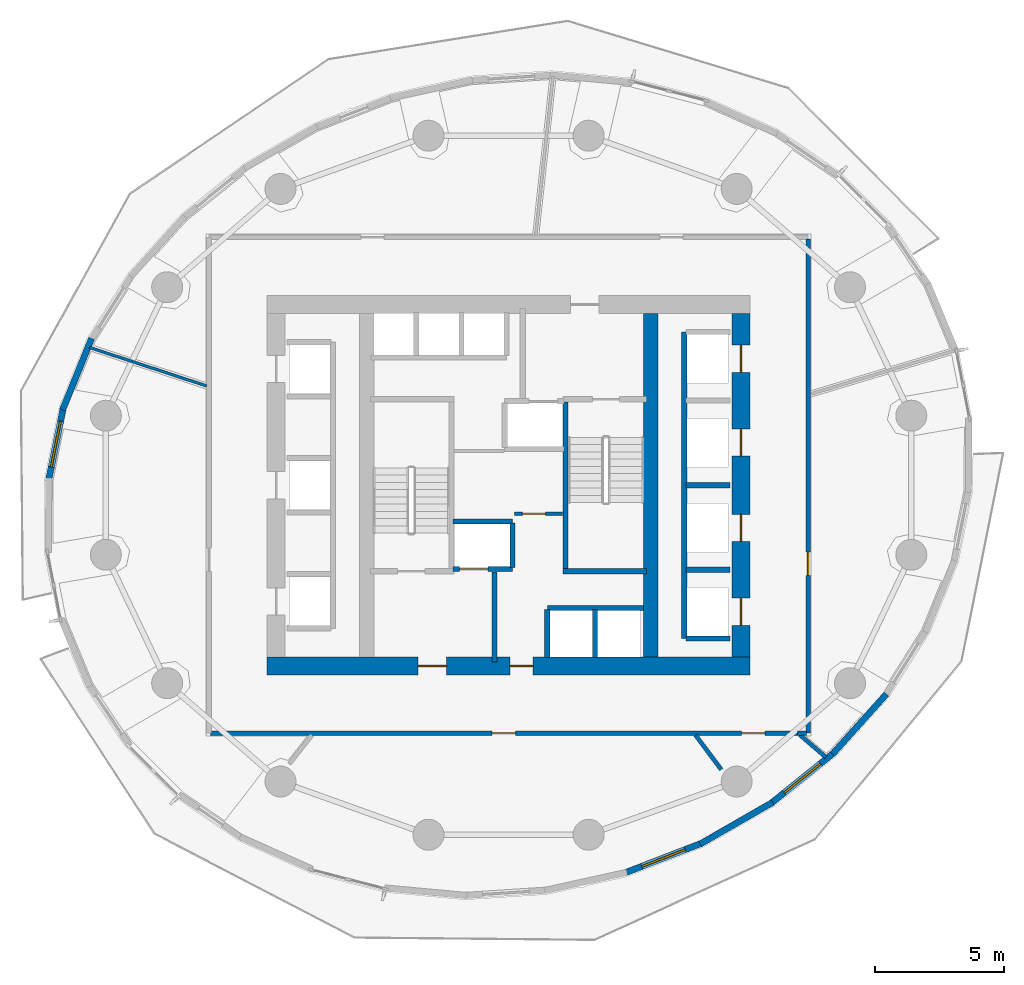
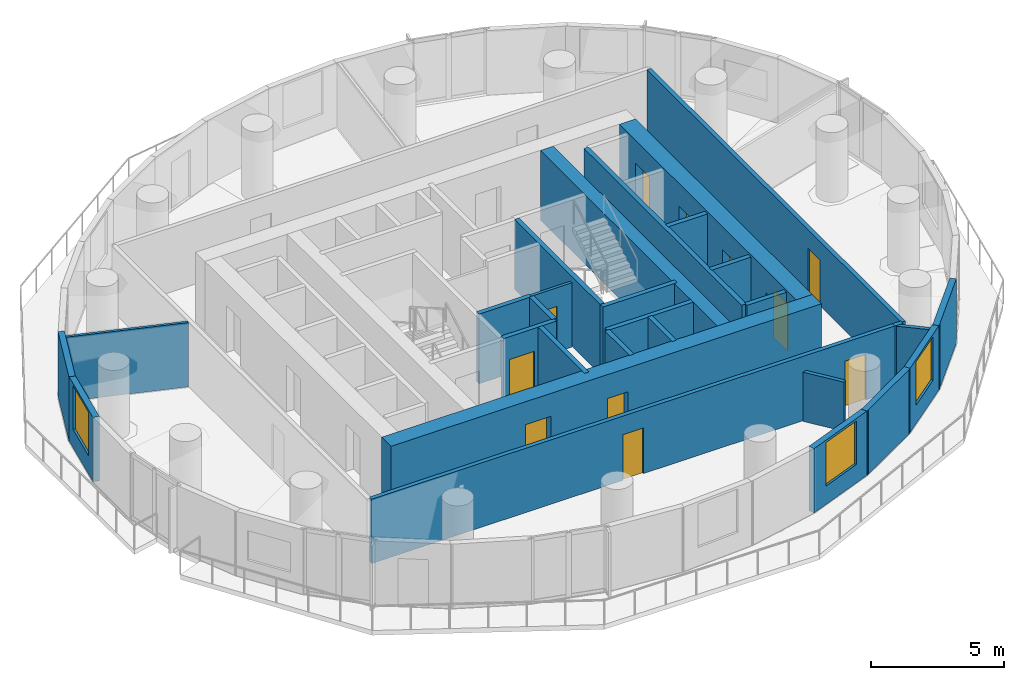
# One storey, part 4 of 10: 29 walls, 11 doors, 3 windows, 14 openings.
"""IFC4 building model written with IfcOpenShell, lengths in metres."""

from ifc_helpers import new_model, si_unit, direction, frame, frame_2d, origin, place, context, subcontext, project, spatial, rectangle, extrude, material, layer, layer_set, type_object, element, fill, save


model = new_model("IFC4")

# Units and contexts
model_context = context("Model", 3, precision=1e-05, world=origin(), true_north=direction((0.0, 1.0)))
body_context = subcontext(model_context, "Body", "Model", "MODEL_VIEW")
ifc_project = project(units=[si_unit("LENGTHUNIT", "METRE"), si_unit("AREAUNIT", "SQUARE_METRE"), si_unit("VOLUMEUNIT", "CUBIC_METRE"), si_unit("PLANEANGLEUNIT", "RADIAN"), si_unit("MASSUNIT", "GRAM", prefix="KILO")], contexts=[model_context])

# Site, building, storey
site_placement = place(None, origin())
site = spatial("IfcSite", under=ifc_project, at=site_placement, CompositionType="ELEMENT")
building_placement = place(site_placement, origin())
building = spatial("IfcBuilding", under=site, at=building_placement, Name="Veldorim Arch Residences", CompositionType="ELEMENT")
storey_placement = place(building_placement, frame((0.0, 0.0, 70.8798828125)))
storey = spatial("IfcBuildingStorey", under=building, at=storey_placement, Name="L20", CompositionType="ELEMENT", Elevation=70.8798828125)

# Wall, opening, door
ifc_material_1 = material(Name="Acoustic Gypsum Board", Category="gypsum")
ifc_layer_1 = layer(ifc_material_1, 0.125, Name="Acoustic Stud Room Partition Wall 125")
ifc_layer_set_1 = layer_set([ifc_layer_1], Name="Acoustic Gypsum Board")
wall_type_1 = type_object("IfcWallType", Name="Acoustic Stud Room Partition Wall 125", PredefinedType="PARTITIONING", material=ifc_layer_set_1)
wall_1_placement = place(storey_placement, frame((32.219970703125, 22.89990234375, 0.0), z_axis=(0.0, 0.0, 1.0), x_axis=(1.0, 0.0, 0.0)))
wall_1 = element("IfcWall", 1, at=wall_1_placement, inside=storey, type_object=wall_type_1, Name="L20 interior wall WL-CA-L20-2", PredefinedType="PARTITIONING", context=body_context, shape_type="SweptSolid", body=[
    extrude(rectangle(XDim=1.860107421875, YDim=0.125, at=frame_2d((0.93017578125, 0.0))), origin(), (0.0, 0.0, 1.0), 2.955078125),
])
opening_1_placement = place(wall_1_placement, frame((0.31005859375, 0.0, 0.0)))
opening_1 = element("IfcOpeningElement", 2, at=opening_1_placement, cuts=wall_1, Name="Opening DR-SVC", PredefinedType="OPENING", context=body_context, shape_type="SweptSolid", body=[
    extrude(rectangle(XDim=0.89990234375, YDim=2.10009765625, at=frame_2d((0.449951171875, 1.050048828125))), frame((0.0, 0.072509765625, 0.0), z_axis=(0.0, -1.0, 0.0), x_axis=(1.0, 0.0, 0.0)), (0.0, 0.0, 1.0), 0.14501953125),
])
ifc_material_2 = material(Name="Fire-Rated Steel", Category="steel")
door_type_1 = type_object("IfcDoorType", Name="Riser, Shelter & Plant Room Rated Steel Door 900x2100", OperationType="SINGLE_SWING_LEFT", PredefinedType="DOOR", material=ifc_material_2)
door_1_placement = place(opening_1_placement, origin())
door_1 = element("IfcDoor", 3, at=door_1_placement, inside=storey, type_object=door_type_1, Name="L20 interior door DR-L20-CA1", OperationType="SINGLE_SWING_RIGHT", OverallHeight=2.10009765625, OverallWidth=0.89990234375, PredefinedType="DOOR", context=body_context, shape_type="SweptSolid", body=[
    extrude(rectangle(XDim=0.89990234375, YDim=2.10009765625, at=frame_2d((0.449951171875, 1.050048828125))), frame((0.0, 0.02490234375, 0.0), z_axis=(0.0, -1.0, 0.0), x_axis=(1.0, 0.0, 0.0)), (0.0, 0.0, 1.0), 0.050048828125),
])
fill(opening_1, door_1)

ifc_material_3 = material(Name="Lightweight Masonry Block & Gypsum", Category="masonry")
ifc_layer_2 = layer(ifc_material_3, 0.179931640625, Name="Compartment & Corridor Fire-Rated Party Wall 180")
ifc_layer_set_2 = layer_set([ifc_layer_2], Name="Lightweight Masonry Block & Gypsum")
wall_type_2 = type_object("IfcWallType", Name="Compartment & Corridor Fire-Rated Party Wall 180", PredefinedType="PARTITIONING", material=ifc_layer_set_2)
wall_2_placement = place(storey_placement, frame((43.60009765625, 33.5400390625, 0.0), z_axis=(0.0, 0.0, 1.0), x_axis=(0.0, -1.0, 0.0)))
wall_2 = element("IfcWall", 4, at=wall_2_placement, inside=storey, type_object=wall_type_2, Name="L20 interior wall WL-SKY-L20-002", PredefinedType="PARTITIONING", context=body_context, shape_type="SweptSolid", body=[
    extrude(rectangle(XDim=19.14013671875, YDim=0.179931640625, at=frame_2d((9.570068359375, 0.0))), origin(), (0.0, 0.0, 1.0), 2.955078125),
])
opening_2_placement = place(wall_2_placement, frame((12.12841796875, 0.0, 0.0)))
opening_2 = element("IfcOpeningElement", 5, at=opening_2_placement, cuts=wall_2, Name="Opening DR-INT", PredefinedType="OPENING", context=body_context, shape_type="SweptSolid", body=[
    extrude(rectangle(XDim=0.89990234375, YDim=2.10009765625, at=frame_2d((0.449951171875, 1.050048828125))), frame((0.0, 0.099853515625, 0.0), z_axis=(0.0, -1.0, 0.0), x_axis=(1.0, 0.0, 0.0)), (0.0, 0.0, 1.0), 0.199951171875),
])
ifc_material_4 = material(Name="Engineered Timber", Category="wood")
door_type_2 = type_object("IfcDoorType", Name="Apartment Internal Room Timber Door 900x2100", OperationType="SINGLE_SWING_LEFT", PredefinedType="DOOR", material=ifc_material_4)
door_2_placement = place(opening_2_placement, origin())
door_2 = element("IfcDoor", 6, at=door_2_placement, inside=storey, type_object=door_type_2, Name="L20 interior door DR-SKY-L20-005", OperationType="SINGLE_SWING_LEFT", OverallHeight=2.10009765625, OverallWidth=0.89990234375, PredefinedType="DOOR", context=body_context, shape_type="SweptSolid", body=[
    extrude(rectangle(XDim=0.89990234375, YDim=2.10009765625, at=frame_2d((0.449951171875, 1.050048828125))), frame((0.0, 0.02490234375, 0.0), z_axis=(0.0, -1.0, 0.0), x_axis=(1.0, 0.0, 0.0)), (0.0, 0.0, 1.0), 0.050048828125),
])
fill(opening_2, door_2)

# Wall, openings, doors
wall_3_placement = place(storey_placement, frame((43.231201171875, 14.39990234375, 0.0), z_axis=(0.0, 0.0, 1.0), x_axis=(-1.0, 0.0, 0.0)))
wall_3 = element("IfcWall", 7, at=wall_3_placement, inside=storey, type_object=wall_type_2, Name="L20 interior wall WL-SKY-L20-004", PredefinedType="PARTITIONING", context=body_context, shape_type="SweptSolid", body=[
    extrude(rectangle(XDim=22.771240234375, YDim=0.179931640625, at=frame_2d((11.3857421875, 0.0))), origin(), (0.0, 0.0, 1.0), 2.955078125),
])
opening_3_placement = place(wall_3_placement, frame((10.9677734375, 0.0, 0.0)))
opening_3 = element("IfcOpeningElement", 8, at=opening_3_placement, cuts=wall_3, Name="Opening DR-INT", PredefinedType="OPENING", context=body_context, shape_type="SweptSolid", body=[
    extrude(rectangle(XDim=0.89990234375, YDim=2.10009765625, at=frame_2d((0.449951171875, 1.050048828125))), frame((0.0, 0.099853515625, 0.0), z_axis=(0.0, -1.0, 0.0), x_axis=(1.0, 0.0, 0.0)), (0.0, 0.0, 1.0), 0.199951171875),
])
opening_4_placement = place(wall_3_placement, frame((1.3046875, 0.0, 0.0)))
opening_4 = element("IfcOpeningElement", 9, at=opening_4_placement, cuts=wall_3, Name="Opening DR-WC", PredefinedType="OPENING", context=body_context, shape_type="SweptSolid", body=[
    extrude(rectangle(XDim=0.89990234375, YDim=2.10009765625, at=frame_2d((0.449951171875, 1.050048828125))), frame((0.0, 0.099853515625, 0.0), z_axis=(0.0, -1.0, 0.0), x_axis=(1.0, 0.0, 0.0)), (0.0, 0.0, 1.0), 0.199951171875),
])
door_3_placement = place(opening_3_placement, origin())
door_3 = element("IfcDoor", 10, at=door_3_placement, inside=storey, type_object=door_type_2, Name="L20 interior door DR-SKY-L20-004", OperationType="SINGLE_SWING_RIGHT", OverallHeight=2.10009765625, OverallWidth=0.89990234375, PredefinedType="DOOR", context=body_context, shape_type="SweptSolid", body=[
    extrude(rectangle(XDim=0.89990234375, YDim=2.10009765625, at=frame_2d((0.449951171875, 1.050048828125))), frame((0.0, 0.02490234375, 0.0), z_axis=(0.0, -1.0, 0.0), x_axis=(1.0, 0.0, 0.0)), (0.0, 0.0, 1.0), 0.050048828125),
])
fill(opening_3, door_3)
ifc_material_5 = material(Name="Laminate Timber", Category="wood")
door_type_3 = type_object("IfcDoorType", Name="Bathroom & Accessible WC Moisture-Sealed Door 900x2100", OperationType="SINGLE_SWING_LEFT", PredefinedType="DOOR", material=ifc_material_5)
door_4_placement = place(opening_4_placement, origin())
door_4 = element("IfcDoor", 11, at=door_4_placement, inside=storey, type_object=door_type_3, Name="L20 interior door DR-SKY-L20-006", OperationType="SINGLE_SWING_RIGHT", OverallHeight=2.10009765625, OverallWidth=0.89990234375, PredefinedType="DOOR", context=body_context, shape_type="SweptSolid", body=[
    extrude(rectangle(XDim=0.89990234375, YDim=2.10009765625, at=frame_2d((0.449951171875, 1.050048828125))), frame((0.0, 0.02490234375, 0.0), z_axis=(0.0, -1.0, 0.0), x_axis=(1.0, 0.0, 0.0)), (0.0, 0.0, 1.0), 0.050048828125),
])
fill(opening_4, door_4)

# Walls
wall_4_placement = place(storey_placement, frame((43.5400390625, 14.39990234375, 0.0), z_axis=(0.0, 0.0, 1.0), x_axis=(-1.0, 0.0, 0.0)))
element("IfcWall", 12, at=wall_4_placement, inside=storey, type_object=wall_type_2, Name="L20 interior wall WL-SKY-L20-005", PredefinedType="PARTITIONING", context=body_context, shape_type="SweptSolid", body=[
    extrude(rectangle(XDim=0.359619140625, YDim=0.179931640625, at=frame_2d((0.1796875, 0.0))), origin(), (0.0, 0.0, 1.0), 2.955078125),
])
ifc_material_6 = material(Name="Concrete C50/60", Category="concrete")
ifc_layer_3 = layer(ifc_material_6, 0.199951171875, Name="Core Stair & Lift Shaft Enclosure Wall 200")
ifc_layer_set_3 = layer_set([ifc_layer_3], Name="Concrete C50/60")
wall_type_3 = type_object("IfcWallType", Name="Core Stair & Lift Shaft Enclosure Wall 200", PredefinedType="SHEAR", material=ifc_layer_set_3)
wall_5_placement = place(storey_placement, frame((34.2099609375, 20.780029296875, 0.0), z_axis=(0.0, 0.0, 1.0), x_axis=(0.0, 1.0, 0.0)))
element("IfcWall", 13, at=wall_5_placement, inside=storey, type_object=wall_type_3, Name="L20 shaft wall WL-SHF-L20-ST2-W", PredefinedType="SHEAR", context=body_context, shape_type="SweptSolid", body=[
    extrude(rectangle(XDim=6.43994140625, YDim=0.199951171875, at=frame_2d((3.219970703125, 0.0))), origin(), (0.0, 0.0, 1.0), 3.2001953125),
])
wall_6_placement = place(storey_placement, frame((34.110107421875, 20.669921875, 0.0), z_axis=(0.0, 0.0, 1.0), x_axis=(1.0, 0.0, 0.0)))
element("IfcWall", 14, at=wall_6_placement, inside=storey, type_object=wall_type_3, Name="L20 shaft wall WL-SHF-L20-ST2-S", PredefinedType="SHEAR", context=body_context, shape_type="SweptSolid", body=[
    extrude(rectangle(XDim=3.239990234375, YDim=0.199951171875, at=frame_2d((1.6201171875, 0.0))), origin(), (0.0, 0.0, 1.0), 3.2001953125),
])
wall_7_placement = place(storey_placement, frame((31.449951171875, 17.14990234375, 0.0), z_axis=(0.0, 0.0, 1.0), x_axis=(0.0, 1.0, 0.0)))
element("IfcWall", 15, at=wall_7_placement, inside=storey, type_object=wall_type_3, Name="L20 shaft wall WL-FFL1-L20-E", PredefinedType="SHEAR", context=body_context, shape_type="SweptSolid", body=[
    extrude(rectangle(XDim=3.5, YDim=0.199951171875, at=frame_2d((1.75, 0.0))), origin(), (0.0, 0.0, 1.0), 3.2001953125),
])

# Wall, opening, door
wall_8_placement = place(storey_placement, frame((29.85009765625, 20.75, 0.0), z_axis=(0.0, 0.0, 1.0), x_axis=(1.0, 0.0, 0.0)))
wall_8 = element("IfcWall", 16, at=wall_8_placement, inside=storey, type_object=wall_type_3, Name="L20 shaft wall WL-FL01-L20-S", PredefinedType="SHEAR", context=body_context, shape_type="SweptSolid", body=[
    extrude(rectangle(XDim=2.2998046875, YDim=0.199951171875, at=frame_2d((1.14990234375, 0.0))), origin(), (0.0, 0.0, 1.0), 3.2001953125),
])
opening_5_placement = place(wall_8_placement, frame((0.25, 0.0, 0.0)))
opening_5 = element("IfcOpeningElement", 17, at=opening_5_placement, cuts=wall_8, Name="Opening LD-FF", PredefinedType="OPENING", context=body_context, shape_type="SweptSolid", body=[
    extrude(rectangle(XDim=1.10009765625, YDim=2.14990234375, at=frame_2d((0.550048828125, 1.074951171875))), frame((0.0, 0.10986328125, 0.0), z_axis=(0.0, -1.0, 0.0), x_axis=(1.0, 0.0, 0.0)), (0.0, 0.0, 1.0), 0.219970703125),
])
ifc_material_7 = material(Name="Stainless Steel", Category="steel")
door_type_4 = type_object("IfcDoorType", Name="Firefighting Lift Bi-Parting Sliding Landing Door 1100x2150", OperationType="DOUBLE_DOOR_SLIDING", PredefinedType="DOOR", material=ifc_material_7)
door_5_placement = place(opening_5_placement, origin())
door_5 = element("IfcDoor", 18, at=door_5_placement, inside=storey, type_object=door_type_4, Name="L20 lift landing door LD-L20-FL01", OperationType="DOUBLE_DOOR_SLIDING", OverallHeight=2.14990234375, OverallWidth=1.10009765625, PredefinedType="DOOR", context=body_context, shape_type="SweptSolid", body=[
    extrude(rectangle(XDim=1.10009765625, YDim=2.14990234375, at=frame_2d((0.550048828125, 1.074951171875))), frame((0.0, 0.02490234375, 0.0), z_axis=(0.0, -1.0, 0.0), x_axis=(1.0, 0.0, 0.0)), (0.0, 0.0, 1.0), 0.050048828125),
])
fill(opening_5, door_5)

# Walls
wall_9_placement = place(storey_placement, frame((29.85009765625, 22.60009765625, 0.0), z_axis=(0.0, 0.0, 1.0), x_axis=(1.0, 0.0, 0.0)))
element("IfcWall", 19, at=wall_9_placement, inside=storey, type_object=wall_type_3, Name="L20 shaft wall WL-FL01-L20-N", PredefinedType="SHEAR", context=body_context, shape_type="SweptSolid", body=[
    extrude(rectangle(XDim=2.2998046875, YDim=0.199951171875, at=frame_2d((1.14990234375, 0.0))), origin(), (0.0, 0.0, 1.0), 3.2001953125),
])
wall_10_placement = place(storey_placement, frame((32.14990234375, 20.820068359375, 0.0), z_axis=(0.0, 0.0, 1.0), x_axis=(0.0, 1.0, 0.0)))
element("IfcWall", 20, at=wall_10_placement, inside=storey, type_object=wall_type_3, Name="L20 shaft wall WL-FL01-L20-E", PredefinedType="SHEAR", context=body_context, shape_type="SweptSolid", body=[
    extrude(rectangle(XDim=1.7099609375, YDim=0.199951171875, at=frame_2d((0.85498046875, 0.0))), origin(), (0.0, 0.0, 1.0), 3.2001953125),
])
wall_11_placement = place(storey_placement, frame((38.800048828125, 18.06005859375, 0.0), z_axis=(0.0, 0.0, 1.0), x_axis=(0.0, 1.0, 0.0)))
element("IfcWall", 21, at=wall_11_placement, inside=storey, type_object=wall_type_3, Name="L20 shaft wall WL-B1-L20-W", PredefinedType="SHEAR", context=body_context, shape_type="SweptSolid", body=[
    extrude(rectangle(XDim=11.8798828125, YDim=0.199951171875, at=frame_2d((5.93994140625, 0.0))), origin(), (0.0, 0.0, 1.0), 3.2001953125),
])
for number, where, z_axis, x_axis, name in (
    (22, (38.8701171875, 18.06005859375, 0.0), (0.0, 0.0, 1.0), (1.0, 0.0, 0.0), "L20 shaft wall WL-B1-L20-S"),
    (23, (38.8701171875, 20.72509765625, 0.0), (0.0, 0.0, 1.0), (1.0, 0.0, 0.0), "L20 shaft wall WL-B1-L20-D1"),
    (24, (38.8701171875, 24.0, 0.0), (0.0, 0.0, 1.0), (1.0, 0.0, 0.0), "L20 shaft wall WL-B1-L20-D2"),
):
    element("IfcWall", number, at=place(storey_placement, frame(where, z_axis=z_axis, x_axis=x_axis)), inside=storey, type_object=wall_type_3, Name=name, PredefinedType="SHEAR", context=body_context, shape_type="SweptSolid", body=[
        extrude(rectangle(XDim=1.7099609375, YDim=0.199951171875, at=frame_2d((0.85498046875, 0.0))), origin(), (0.0, 0.0, 1.0), 3.2001953125),
    ])
wall_12_placement = place(storey_placement, frame((33.5, 19.25, 0.0), z_axis=(0.0, 0.0, 1.0), x_axis=(1.0, 0.0, 0.0)))
element("IfcWall", 25, at=wall_12_placement, inside=storey, type_object=wall_type_3, Name="L20 shaft wall WL-OL-L20-N", PredefinedType="SHEAR", context=body_context, shape_type="SweptSolid", body=[
    extrude(rectangle(XDim=3.719970703125, YDim=0.199951171875, at=frame_2d((1.85986328125, 0.0))), origin(), (0.0, 0.0, 1.0), 3.2001953125),
])
for number, where, z_axis, x_axis, name in (
    (26, (33.5, 17.320068359375, 0.0), (0.0, 0.0, 1.0), (0.0, 1.0, 0.0), "L20 shaft wall WL-OL-L20-W"),
    (27, (35.35009765625, 17.320068359375, 0.0), (0.0, 0.0, 1.0), (0.0, 1.0, 0.0), "L20 shaft wall WL-OL-L20-D1"),
):
    element("IfcWall", number, at=place(storey_placement, frame(where, z_axis=z_axis, x_axis=x_axis)), inside=storey, type_object=wall_type_3, Name=name, PredefinedType="SHEAR", context=body_context, shape_type="SweptSolid", body=[
        extrude(rectangle(XDim=1.85986328125, YDim=0.199951171875, at=frame_2d((0.929931640625, 0.0))), origin(), (0.0, 0.0, 1.0), 3.2001953125),
    ])
ifc_material_8 = material(Name="Concrete C60/75", Category="concrete")
ifc_layer_4 = layer(ifc_material_8, 0.56005859375, Name="Internal Core Shear Web Wall 560")
ifc_layer_set_4 = layer_set([ifc_layer_4], Name="Concrete C60/75")
wall_type_4 = type_object("IfcWallType", Name="Internal Core Shear Web Wall 560", PredefinedType="SHEAR", material=ifc_layer_set_4)
wall_13_placement = place(storey_placement, frame((37.5, 17.35009765625, 0.0), z_axis=(0.0, 0.0, 1.0), x_axis=(0.0, 1.0, 0.0)))
element("IfcWall", 28, at=wall_13_placement, inside=storey, type_object=wall_type_4, Name="L20 core east internal shear web", PredefinedType="SHEAR", context=body_context, shape_type="SweptSolid", body=[
    extrude(rectangle(XDim=13.2998046875, YDim=0.56005859375, at=frame_2d((6.64990234375, 0.0))), origin(), (0.0, 0.0, 1.0), 3.2001953125),
])

# Wall, openings, doors
ifc_material_9 = material(Name="Concrete C60/75", Category="concrete")
ifc_layer_5 = layer(ifc_material_9, 0.699951171875, Name="Mid-Lower Central Core Shear Wall 700")
ifc_layer_set_5 = layer_set([ifc_layer_5], Name="Concrete C60/75")
wall_type_5 = type_object("IfcWallType", Name="Mid-Lower Central Core Shear Wall 700", PredefinedType="SHEAR", material=ifc_layer_set_5)
wall_14_placement = place(storey_placement, frame((22.64990234375, 17.0, 0.0), z_axis=(0.0, 0.0, 1.0), x_axis=(1.0, 0.0, 0.0)))
wall_14 = element("IfcWall", 29, at=wall_14_placement, inside=storey, type_object=wall_type_5, Name="L20 central core south shear wall", PredefinedType="SHEAR", context=body_context, shape_type="SweptSolid", body=[
    extrude(rectangle(XDim=18.7001953125, YDim=0.699951171875, at=frame_2d((9.35009765625, 0.0))), origin(), (0.0, 0.0, 1.0), 3.2001953125),
])
opening_6_placement = place(wall_14_placement, frame((5.85009765625, 0.0, 0.0)))
opening_6 = element("IfcOpeningElement", 30, at=opening_6_placement, cuts=wall_14, Name="Opening DR-FFL", PredefinedType="OPENING", context=body_context, shape_type="SweptSolid", body=[
    extrude(rectangle(XDim=1.10009765625, YDim=2.14990234375, at=frame_2d((0.550048828125, 1.074951171875))), frame((0.0, 0.35986328125, 0.0), z_axis=(0.0, -1.0, 0.0), x_axis=(1.0, 0.0, 0.0)), (0.0, 0.0, 1.0), 0.719970703125),
])
opening_7_placement = place(wall_14_placement, frame((9.39990234375, 0.0, 0.0)))
opening_7 = element("IfcOpeningElement", 31, at=opening_7_placement, cuts=wall_14, Name="Opening DR-SVC", PredefinedType="OPENING", context=body_context, shape_type="SweptSolid", body=[
    extrude(rectangle(XDim=0.89990234375, YDim=2.10009765625, at=frame_2d((0.449951171875, 1.050048828125))), frame((0.0, 0.35986328125, 0.0), z_axis=(0.0, -1.0, 0.0), x_axis=(1.0, 0.0, 0.0)), (0.0, 0.0, 1.0), 0.719970703125),
])
ifc_material_10 = material(Name="Fire-Rated Steel & Vision Glass", Category="steel")
door_type_5 = type_object("IfcDoorType", Name="Firefighting Lobby Smoke-Stop Fire Door 1100x2150", OperationType="SINGLE_SWING_LEFT", PredefinedType="DOOR", material=ifc_material_10)
door_6_placement = place(opening_6_placement, origin())
door_6 = element("IfcDoor", 32, at=door_6_placement, inside=storey, type_object=door_type_5, Name="L20 interior door DR-L20-FFL1", OperationType="SINGLE_SWING_RIGHT", OverallHeight=2.14990234375, OverallWidth=1.10009765625, PredefinedType="DOOR", context=body_context, shape_type="SweptSolid", body=[
    extrude(rectangle(XDim=1.10009765625, YDim=2.14990234375, at=frame_2d((0.550048828125, 1.074951171875))), frame((0.0, 0.02490234375, 0.0), z_axis=(0.0, -1.0, 0.0), x_axis=(1.0, 0.0, 0.0)), (0.0, 0.0, 1.0), 0.050048828125),
])
fill(opening_6, door_6)
door_7_placement = place(opening_7_placement, origin())
door_7 = element("IfcDoor", 33, at=door_7_placement, inside=storey, type_object=door_type_1, Name="L20 interior door DR-L20-COR-ANC", OperationType="SINGLE_SWING_LEFT", OverallHeight=2.10009765625, OverallWidth=0.89990234375, PredefinedType="DOOR", context=body_context, shape_type="SweptSolid", body=[
    extrude(rectangle(XDim=0.89990234375, YDim=2.10009765625, at=frame_2d((0.449951171875, 1.050048828125))), frame((0.0, 0.02490234375, 0.0), z_axis=(0.0, -1.0, 0.0), x_axis=(1.0, 0.0, 0.0)), (0.0, 0.0, 1.0), 0.050048828125),
])
fill(opening_7, door_7)

wall_15_placement = place(storey_placement, frame((41.0, 17.35009765625, 0.0), z_axis=(0.0, 0.0, 1.0), x_axis=(0.0, 1.0, 0.0)))
wall_15 = element("IfcWall", 34, at=wall_15_placement, inside=storey, type_object=wall_type_5, Name="L20 central core east shear wall", PredefinedType="SHEAR", context=body_context, shape_type="SweptSolid", body=[
    extrude(rectangle(XDim=13.2998046875, YDim=0.699951171875, at=frame_2d((6.64990234375, 0.0))), origin(), (0.0, 0.0, 1.0), 3.2001953125),
])
opening_8_placement = place(wall_15_placement, frame((1.22509765625, 0.0, 0.0)))
opening_8 = element("IfcOpeningElement", 35, at=opening_8_placement, cuts=wall_15, Name="Opening LD-PS", PredefinedType="OPENING", context=body_context, shape_type="SweptSolid", body=[
    extrude(rectangle(XDim=1.050048828125, YDim=2.14990234375, at=frame_2d((0.52490234375, 1.074951171875))), frame((0.0, 0.35986328125, 0.0), z_axis=(0.0, -1.0, 0.0), x_axis=(1.0, 0.0, 0.0)), (0.0, 0.0, 1.0), 0.719970703125),
])
opening_9_placement = place(wall_15_placement, frame((4.47509765625, 0.0, 0.0)))
opening_9 = element("IfcOpeningElement", 36, at=opening_9_placement, cuts=wall_15, Name="Opening LD-PS", PredefinedType="OPENING", context=body_context, shape_type="SweptSolid", body=[
    extrude(rectangle(XDim=1.050048828125, YDim=2.14990234375, at=frame_2d((0.52490234375, 1.074951171875))), frame((0.0, 0.35986328125, 0.0), z_axis=(0.0, -1.0, 0.0), x_axis=(1.0, 0.0, 0.0)), (0.0, 0.0, 1.0), 0.719970703125),
])
opening_10_placement = place(wall_15_placement, frame((7.77490234375, 0.0, 0.0)))
opening_10 = element("IfcOpeningElement", 37, at=opening_10_placement, cuts=wall_15, Name="Opening LD-PS", PredefinedType="OPENING", context=body_context, shape_type="SweptSolid", body=[
    extrude(rectangle(XDim=1.050048828125, YDim=2.14990234375, at=frame_2d((0.52490234375, 1.074951171875))), frame((0.0, 0.35986328125, 0.0), z_axis=(0.0, -1.0, 0.0), x_axis=(1.0, 0.0, 0.0)), (0.0, 0.0, 1.0), 0.719970703125),
])
opening_11_placement = place(wall_15_placement, frame((11.02490234375, 0.0, 0.0)))
opening_11 = element("IfcOpeningElement", 38, at=opening_11_placement, cuts=wall_15, Name="Opening LD-PS", PredefinedType="OPENING", context=body_context, shape_type="SweptSolid", body=[
    extrude(rectangle(XDim=1.050048828125, YDim=2.14990234375, at=frame_2d((0.52490234375, 1.074951171875))), frame((0.0, 0.35986328125, 0.0), z_axis=(0.0, -1.0, 0.0), x_axis=(1.0, 0.0, 0.0)), (0.0, 0.0, 1.0), 0.719970703125),
])
ifc_material_11 = material(Name="Stainless Steel", Category="steel")
door_type_6 = type_object("IfcDoorType", Name="Passenger Lift Bi-Parting Sliding Landing Door 1050x2150", OperationType="DOUBLE_DOOR_SLIDING", PredefinedType="DOOR", material=ifc_material_11)
door_8_placement = place(opening_8_placement, origin())
door_8 = element("IfcDoor", 39, at=door_8_placement, inside=storey, type_object=door_type_6, Name="L20 lift landing door LD-L20-PL-01", OperationType="DOUBLE_DOOR_SLIDING", OverallHeight=2.14990234375, OverallWidth=1.050048828125, PredefinedType="DOOR", context=body_context, shape_type="SweptSolid", body=[
    extrude(rectangle(XDim=1.050048828125, YDim=2.14990234375, at=frame_2d((0.52490234375, 1.074951171875))), frame((0.0, 0.02490234375, 0.0), z_axis=(0.0, -1.0, 0.0), x_axis=(1.0, 0.0, 0.0)), (0.0, 0.0, 1.0), 0.050048828125),
])
fill(opening_8, door_8)
door_9_placement = place(opening_9_placement, origin())
door_9 = element("IfcDoor", 40, at=door_9_placement, inside=storey, type_object=door_type_6, Name="L20 lift landing door LD-L20-PL-02", OperationType="DOUBLE_DOOR_SLIDING", OverallHeight=2.14990234375, OverallWidth=1.050048828125, PredefinedType="DOOR", context=body_context, shape_type="SweptSolid", body=[
    extrude(rectangle(XDim=1.050048828125, YDim=2.14990234375, at=frame_2d((0.52490234375, 1.074951171875))), frame((0.0, 0.02490234375, 0.0), z_axis=(0.0, -1.0, 0.0), x_axis=(1.0, 0.0, 0.0)), (0.0, 0.0, 1.0), 0.050048828125),
])
fill(opening_9, door_9)
door_10_placement = place(opening_10_placement, origin())
door_10 = element("IfcDoor", 41, at=door_10_placement, inside=storey, type_object=door_type_6, Name="L20 lift landing door LD-L20-PL-03", OperationType="DOUBLE_DOOR_SLIDING", OverallHeight=2.14990234375, OverallWidth=1.050048828125, PredefinedType="DOOR", context=body_context, shape_type="SweptSolid", body=[
    extrude(rectangle(XDim=1.050048828125, YDim=2.14990234375, at=frame_2d((0.52490234375, 1.074951171875))), frame((0.0, 0.02490234375, 0.0), z_axis=(0.0, -1.0, 0.0), x_axis=(1.0, 0.0, 0.0)), (0.0, 0.0, 1.0), 0.050048828125),
])
fill(opening_10, door_10)
door_11_placement = place(opening_11_placement, origin())
door_11 = element("IfcDoor", 42, at=door_11_placement, inside=storey, type_object=door_type_6, Name="L20 lift landing door LD-L20-PL-04", OperationType="DOUBLE_DOOR_SLIDING", OverallHeight=2.14990234375, OverallWidth=1.050048828125, PredefinedType="DOOR", context=body_context, shape_type="SweptSolid", body=[
    extrude(rectangle(XDim=1.050048828125, YDim=2.14990234375, at=frame_2d((0.52490234375, 1.074951171875))), frame((0.0, 0.02490234375, 0.0), z_axis=(0.0, -1.0, 0.0), x_axis=(1.0, 0.0, 0.0)), (0.0, 0.0, 1.0), 0.050048828125),
])
fill(opening_11, door_11)

# Walls
ifc_material_12 = material(Name="Anodised Aluminium & Acoustic Panel", Category="aluminium")
ifc_layer_6 = layer(ifc_material_12, 0.110107421875, Name="Operable Acoustic Clinic & Community Folding Partition 110")
ifc_layer_set_6 = layer_set([ifc_layer_6], Name="Anodised Aluminium & Acoustic Panel")
wall_type_6 = type_object("IfcWallType", Name="Operable Acoustic Clinic & Community Folding Partition 110", PredefinedType="MOVABLE", material=ifc_layer_set_6)
wall_16_placement = place(storey_placement, frame((20.304931640625, 27.84521484375, 0.0), z_axis=(0.0, 0.0, 1.0), x_axis=(-0.949983665887, 0.312299591013, 0.0)))
element("IfcWall", 43, at=wall_16_placement, inside=storey, type_object=wall_type_6, Name="L20 interior wall WL-SKY-L20-008", PredefinedType="MOVABLE", context=body_context, shape_type="SweptSolid", body=[
    extrude(rectangle(XDim=4.776611328125, YDim=0.110107421875, at=frame_2d((2.38818359375, 0.0))), origin(), (0.0, 0.0, 1.0), 2.955078125),
])
ifc_material_13 = material(Name="Precast concrete C40/50", Category="concrete")
ifc_layer_7 = layer(ifc_material_13, 0.25, Name="Tower Terracotta Spandrel & Pier Wall 250")
ifc_layer_set_7 = layer_set([ifc_layer_7], Name="Precast concrete C40/50")
wall_type_7 = type_object("IfcWallType", Name="Tower Terracotta Spandrel & Pier Wall 250", PredefinedType="SOLIDWALL", material=ifc_layer_set_7)
wall_17_placement = place(storey_placement, frame((14.7265625, 26.91845703125, 0.0), z_axis=(0.0, 0.0, 1.0), x_axis=(0.376048320415, 0.926600054345, 0.0)))
element("IfcWall", 44, at=wall_17_placement, inside=storey, type_object=wall_type_7, Name="L20 terracotta facade wall 15", PredefinedType="SOLIDWALL", context=body_context, shape_type="SweptSolid", body=[
    extrude(rectangle(XDim=2.98828125, YDim=0.25, at=frame_2d((1.494140625, 0.0))), origin(), (0.0, 0.0, 1.0), 2.960205078125),
])

# Wall, opening, window
wall_18_placement = place(storey_placement, frame((14.17919921875, 24.1611328125, 0.0), z_axis=(0.0, 0.0, 1.0), x_axis=(0.198331811595, 0.980134935868, 0.0)))
wall_18 = element("IfcWall", 45, at=wall_18_placement, inside=storey, type_object=wall_type_7, Name="L20 terracotta facade wall 16", PredefinedType="SOLIDWALL", context=body_context, shape_type="SweptSolid", body=[
    extrude(rectangle(XDim=2.923583984375, YDim=0.25, at=frame_2d((1.4619140625, 0.0))), origin(), (0.0, 0.0, 1.0), 2.960205078125),
])
opening_12_placement = place(wall_18_placement, frame((0.56201171875, 0.0, 0.85009765625)))
opening_12 = element("IfcOpeningElement", 46, at=opening_12_placement, cuts=wall_18, Name="Opening WN-04", PredefinedType="OPENING", context=body_context, shape_type="SweptSolid", body=[
    extrude(rectangle(XDim=1.800048828125, YDim=2.0, at=frame_2d((0.89990234375, 1.0))), frame((0.0, 0.135009765625, 0.0), z_axis=(0.0, -1.0, 0.0), x_axis=(1.0, 0.0, 0.0)), (0.0, 0.0, 1.0), 0.27001953125),
])
ifc_material_14 = material(Name="Laminated Low-E Glass", Category="glass")
window_type = type_object("IfcWindowType", Name="Sky Lounge Tall Picture Window 1800x1370", PartitioningType="SINGLE_PANEL", PredefinedType="WINDOW", material=ifc_material_14)
window_1_placement = place(opening_12_placement, origin())
window_1 = element("IfcWindow", 47, at=window_1_placement, inside=storey, type_object=window_type, Name="L20 solar-control facade window 16", OverallHeight=2.0, OverallWidth=1.800048828125, PartitioningType="SINGLE_PANEL", PredefinedType="WINDOW", context=body_context, shape_type="SweptSolid", body=[
    extrude(rectangle(XDim=1.800048828125, YDim=2.0, at=frame_2d((0.89990234375, 1.0))), frame((0.0, 0.030029296875, 0.0), z_axis=(0.0, -1.0, 0.0), x_axis=(1.0, 0.0, 0.0)), (0.0, 0.0, 1.0), 0.06005859375),
])
fill(opening_12, window_1)

wall_19_placement = place(storey_placement, frame((39.519775390625, 10.150390625, 0.0), z_axis=(0.0, 0.0, 1.0), x_axis=(-0.932707116004, -0.360634767812, 0.0)))
wall_19 = element("IfcWall", 48, at=wall_19_placement, inside=storey, type_object=wall_type_7, Name="L20 terracotta facade wall 28", PredefinedType="SOLIDWALL", context=body_context, shape_type="SweptSolid", body=[
    extrude(rectangle(XDim=3.259521484375, YDim=0.25, at=frame_2d((1.6298828125, 0.0))), origin(), (0.0, 0.0, 1.0), 2.960205078125),
])
opening_13_placement = place(wall_19_placement, frame((0.72998046875, 0.0, 0.85009765625)))
opening_13 = element("IfcOpeningElement", 49, at=opening_13_placement, cuts=wall_19, Name="Opening WN-04", PredefinedType="OPENING", context=body_context, shape_type="SweptSolid", body=[
    extrude(rectangle(XDim=1.800048828125, YDim=2.0, at=frame_2d((0.89990234375, 1.0))), frame((0.0, 0.135009765625, 0.0), z_axis=(0.0, -1.0, 0.0), x_axis=(1.0, 0.0, 0.0)), (0.0, 0.0, 1.0), 0.27001953125),
])
window_2_placement = place(opening_13_placement, origin())
window_2 = element("IfcWindow", 50, at=window_2_placement, inside=storey, type_object=window_type, Name="L20 solar-control facade window 28", OverallHeight=2.0, OverallWidth=1.800048828125, PartitioningType="SINGLE_PANEL", PredefinedType="WINDOW", context=body_context, shape_type="SweptSolid", body=[
    extrude(rectangle(XDim=1.800048828125, YDim=2.0, at=frame_2d((0.89990234375, 1.0))), frame((0.0, 0.030029296875, 0.0), z_axis=(0.0, -1.0, 0.0), x_axis=(1.0, 0.0, 0.0)), (0.0, 0.0, 1.0), 0.06005859375),
])
fill(opening_13, window_2)

# Wall
wall_20_placement = place(storey_placement, frame((42.22705078125, 11.716552734375, 0.0), z_axis=(0.0, 0.0, 1.0), x_axis=(-0.866935640597, -0.498420098975, 0.0)))
element("IfcWall", 51, at=wall_20_placement, inside=storey, type_object=wall_type_7, Name="L20 terracotta facade wall 29", PredefinedType="SOLIDWALL", context=body_context, shape_type="SweptSolid", body=[
    extrude(rectangle(XDim=3.236328125, YDim=0.25, at=frame_2d((1.6181640625, 0.0))), origin(), (0.0, 0.0, 1.0), 2.960205078125),
])

# Wall, opening, window
wall_21_placement = place(storey_placement, frame((44.623291015625, 13.656494140625, 0.0), z_axis=(0.0, 0.0, 1.0), x_axis=(-0.778932404301, -0.627107893054, 0.0)))
wall_21 = element("IfcWall", 52, at=wall_21_placement, inside=storey, type_object=wall_type_7, Name="L20 terracotta facade wall 30", PredefinedType="SOLIDWALL", context=body_context, shape_type="SweptSolid", body=[
    extrude(rectangle(XDim=3.19189453125, YDim=0.25, at=frame_2d((1.595947265625, 0.0))), origin(), (0.0, 0.0, 1.0), 2.960205078125),
])
opening_14_placement = place(wall_21_placement, frame((0.696044921875, 0.0, 0.85009765625)))
opening_14 = element("IfcOpeningElement", 53, at=opening_14_placement, cuts=wall_21, Name="Opening WN-04", PredefinedType="OPENING", context=body_context, shape_type="SweptSolid", body=[
    extrude(rectangle(XDim=1.800048828125, YDim=2.0, at=frame_2d((0.89990234375, 1.0))), frame((0.0, 0.135009765625, 0.0), z_axis=(0.0, -1.0, 0.0), x_axis=(1.0, 0.0, 0.0)), (0.0, 0.0, 1.0), 0.27001953125),
])
window_3_placement = place(opening_14_placement, origin())
window_3 = element("IfcWindow", 54, at=window_3_placement, inside=storey, type_object=window_type, Name="L20 solar-control facade window 30", OverallHeight=2.0, OverallWidth=1.800048828125, PartitioningType="SINGLE_PANEL", PredefinedType="WINDOW", context=body_context, shape_type="SweptSolid", body=[
    extrude(rectangle(XDim=1.800048828125, YDim=2.0, at=frame_2d((0.89990234375, 1.0))), frame((0.0, 0.030029296875, 0.0), z_axis=(0.0, -1.0, 0.0), x_axis=(1.0, 0.0, 0.0)), (0.0, 0.0, 1.0), 0.06005859375),
])
fill(opening_14, window_3)

# Walls
wall_22_placement = place(storey_placement, frame((46.634765625, 15.911376953125, 0.0), z_axis=(0.0, 0.0, 1.0), x_axis=(-0.66790863438, -0.744243277511, 0.0)))
element("IfcWall", 55, at=wall_22_placement, inside=storey, type_object=wall_type_7, Name="L20 terracotta facade wall 31", PredefinedType="SOLIDWALL", context=body_context, shape_type="SweptSolid", body=[
    extrude(rectangle(XDim=3.131103515625, YDim=0.25, at=frame_2d((1.5654296875, 0.0))), origin(), (0.0, 0.0, 1.0), 2.960205078125),
])
ifc_material_15 = material(Name="Moisture-Resistant Gypsum & Stud", Category="gypsum")
ifc_layer_8 = layer(ifc_material_15, 0.159912109375, Name="Wet-Area Moisture-Resistant Plumbing Wall 160")
ifc_layer_set_8 = layer_set([ifc_layer_8], Name="Moisture-Resistant Gypsum & Stud")
wall_type_8 = type_object("IfcWallType", Name="Wet-Area Moisture-Resistant Plumbing Wall 160", PredefinedType="PLUMBINGWALL", material=ifc_layer_set_8)
wall_23_placement = place(storey_placement, frame((39.24169921875, 14.31982421875, 0.0), z_axis=(0.0, 0.0, 1.0), x_axis=(0.599082687588, -0.800687163274, 0.0)))
element("IfcWall", 56, at=wall_23_placement, inside=storey, type_object=wall_type_8, Name="L20 interior wall WL-SKY-L20-010", PredefinedType="PLUMBINGWALL", context=body_context, shape_type="SweptSolid", body=[
    extrude(rectangle(XDim=1.661376953125, YDim=0.159912109375, at=frame_2d((0.83056640625, 0.0))), origin(), (0.0, 0.0, 1.0), 2.2607421875),
])
wall_24_placement = place(storey_placement, frame((44.29443359375, 13.46240234375, 0.0), z_axis=(0.0, 0.0, 1.0), x_axis=(-0.75928230748, 0.650761382957, 0.0)))
element("IfcWall", 57, at=wall_24_placement, inside=storey, type_object=wall_type_8, Name="L20 interior wall WL-SKY-L20-011", PredefinedType="PLUMBINGWALL", context=body_context, shape_type="SweptSolid", body=[
    extrude(rectangle(XDim=1.3408203125, YDim=0.159912109375, at=frame_2d((0.67041015625, 0.0))), origin(), (0.0, 0.0, 1.0), 2.955078125),
])

save(model, "model.ifc")
